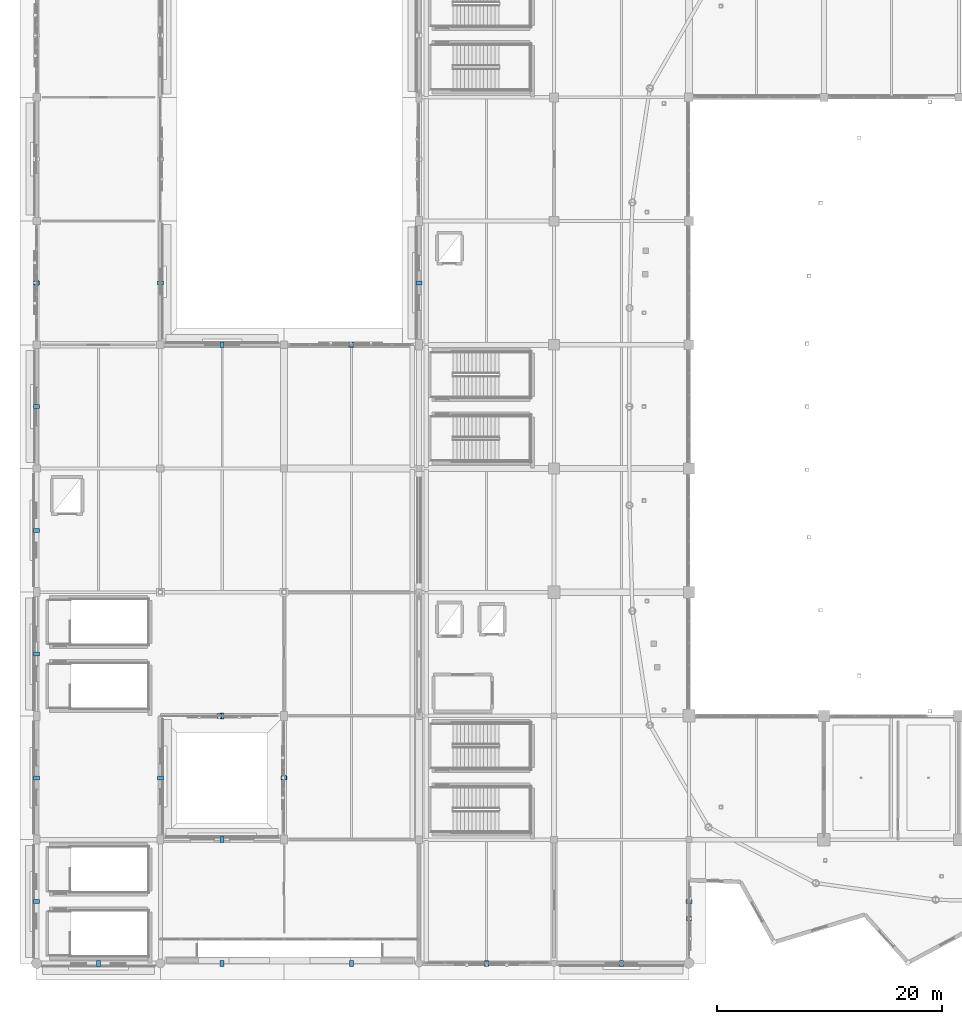
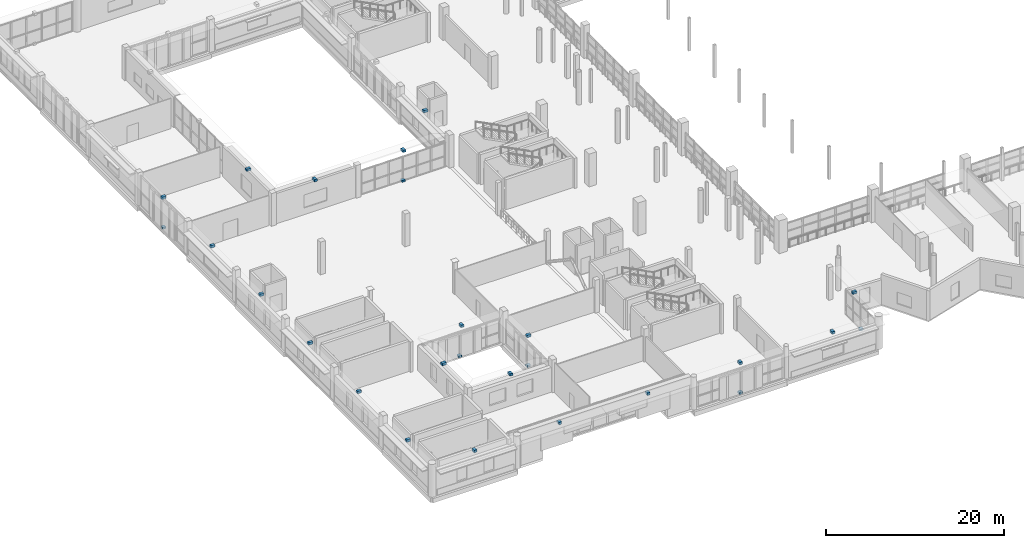
# One storey, part 91 of 118: 26 discrete accessories.
"""IFC4 building model written with IfcOpenShell, lengths in metres."""

from ifc_helpers import new_model, si_unit, direction, frame, origin, origin_2d, place, context, subcontext, project, spatial, rectangle, extrude, material, layer, layer_set, type_object, element, save


model = new_model("IFC4")

# Units and contexts
model_context = context("Model", 3, precision=1e-05, world=origin(), true_north=direction((0.0, 1.0)))
body_context = subcontext(model_context, "Body", "Model", "MODEL_VIEW")
ifc_project = project(units=[si_unit("LENGTHUNIT", "METRE"), si_unit("AREAUNIT", "SQUARE_METRE"), si_unit("VOLUMEUNIT", "CUBIC_METRE"), si_unit("PLANEANGLEUNIT", "RADIAN"), si_unit("MASSUNIT", "GRAM", prefix="KILO")], contexts=[model_context])

# Site, building, storey
site_placement = place(None, origin())
site = spatial("IfcSite", under=ifc_project, at=site_placement, CompositionType="ELEMENT")
building_placement = place(site_placement, origin())
building = spatial("IfcBuilding", under=site, at=building_placement, Name="Luwafu Chhajja Arena", CompositionType="ELEMENT")
storey_placement = place(building_placement, frame((0.0, 0.0, 10.199951171875)))
storey = spatial("IfcBuildingStorey", under=building, at=storey_placement, Name="L02", CompositionType="ELEMENT", Elevation=10.199951171875)

# Discrete accessories
ifc_material = material(Name="Stainless steel bracket", Category="steel")
ifc_layer = layer(ifc_material, 0.179931640625, Name="Stainless steel bracket")
ifc_layer_set = layer_set([ifc_layer], Name="Stainless steel bracket")
discrete_accessory_type = type_object("IfcDiscreteAccessoryType", Name="Stainless Steel Facade Support Bracket", PredefinedType="BRACKET", material=ifc_layer_set)
for number, where, z_axis, x_axis, name in (
    (1, (5.5, 0.0, 4.080078125), (0.0, 0.0, 1.0), (1.0, 0.0, 0.0), "L02 Chhajja Eave Support Bracket 0213"),
    (2, (0.0, 5.5, 4.080078125), (0.0, 0.0, 1.0), (0.0, 1.0, 0.0), "L02 Chhajja Eave Support Bracket 0214"),
    (3, (0.0, 16.5, 4.080078125), (0.0, 0.0, 1.0), (0.0, 1.0, 0.0), "L02 Chhajja Eave Support Bracket 0215"),
    (4, (11.0, 16.5, 4.080078125), (0.0, 0.0, 1.0), (0.0, 1.0, 0.0), "L02 Chhajja Eave Support Bracket 0216"),
    (5, (0.0, 27.5, 4.080078125), (0.0, 0.0, 1.0), (0.0, 1.0, 0.0), "L02 Chhajja Eave Support Bracket 0217"),
    (6, (0.0, 38.5, 4.080078125), (0.0, 0.0, 1.0), (0.0, 1.0, 0.0), "L02 Chhajja Eave Support Bracket 0218"),
    (7, (0.0, 49.5, 4.080078125), (0.0, 0.0, 1.0), (0.0, 1.0, 0.0), "L02 Chhajja Eave Support Bracket 0219"),
    (8, (0.0, 60.5, 4.080078125), (0.0, 0.0, 1.0), (0.0, 1.0, 0.0), "L02 Chhajja Eave Support Bracket 0220"),
):
    element("IfcDiscreteAccessory", number, at=place(storey_placement, frame(where, z_axis=z_axis, x_axis=x_axis)), inside=storey, type_object=discrete_accessory_type, Name=name, PredefinedType="BRACKET", context=body_context, shape_type="SweptSolid", body=[
        extrude(rectangle(XDim=0.360107421875, YDim=0.52001953125, at=origin_2d()), origin(), (0.0, 0.0, 1.0), 0.320068359375),
    ])
discrete_accessory_1_placement = place(storey_placement, frame((0.0, 60.5, -0.009765625), z_axis=(0.0, 0.0, 1.0), x_axis=(0.0, 1.0, 0.0)))
element("IfcDiscreteAccessory", 9, at=discrete_accessory_1_placement, inside=storey, type_object=discrete_accessory_type, Name="Jali Stainless Support Bracket 0221", PredefinedType="BRACKET", context=body_context, shape_type="SweptSolid", body=[
    extrude(rectangle(XDim=0.419921875, YDim=0.419921875, at=origin_2d()), origin(), (0.0, 0.0, 1.0), 0.260009765625),
])
for number, where, z_axis, x_axis, name in (
    (10, (11.0, 60.5, 4.080078125), (0.0, 0.0, 1.0), (0.0, 1.0, 0.0), "L02 Chhajja Eave Support Bracket 0222"),
    (11, (16.5, 0.0, 4.080078125), (0.0, 0.0, 1.0), (1.0, 0.0, 0.0), "L02 Chhajja Eave Support Bracket 0232"),
    (12, (16.5, 11.0, 4.080078125), (0.0, 0.0, 1.0), (1.0, 0.0, 0.0), "L02 Chhajja Eave Support Bracket 0233"),
    (13, (16.5, 22.0, 4.080078125), (0.0, 0.0, 1.0), (1.0, 0.0, 0.0), "L02 Chhajja Eave Support Bracket 0234"),
):
    element("IfcDiscreteAccessory", number, at=place(storey_placement, frame(where, z_axis=z_axis, x_axis=x_axis)), inside=storey, type_object=discrete_accessory_type, Name=name, PredefinedType="BRACKET", context=body_context, shape_type="SweptSolid", body=[
        extrude(rectangle(XDim=0.360107421875, YDim=0.52001953125, at=origin_2d()), origin(), (0.0, 0.0, 1.0), 0.320068359375),
    ])
discrete_accessory_2_placement = place(storey_placement, frame((16.22998046875, 22.0, -0.009765625), z_axis=(0.0, 0.0, 1.0), x_axis=(1.0, 0.0, 0.0)))
element("IfcDiscreteAccessory", 14, at=discrete_accessory_2_placement, inside=storey, type_object=discrete_accessory_type, Name="Jali Stainless Support Bracket 0235", PredefinedType="BRACKET", context=body_context, shape_type="SweptSolid", body=[
    extrude(rectangle(XDim=0.419921875, YDim=0.419921875, at=origin_2d()), origin(), (0.0, 0.0, 1.0), 0.260009765625),
])
for number, where, z_axis, x_axis, name in (
    (15, (16.5, 55.0, 4.080078125), (0.0, 0.0, 1.0), (1.0, 0.0, 0.0), "L02 Chhajja Eave Support Bracket 0236"),
    (16, (28.0, 0.0, 4.080078125), (0.0, 0.0, 1.0), (1.0, 0.0, 0.0), "L02 Chhajja Eave Support Bracket 0240"),
    (17, (22.0, 16.5, 4.080078125), (0.0, 0.0, 1.0), (0.0, 1.0, 0.0), "L02 Chhajja Eave Support Bracket 0241"),
):
    element("IfcDiscreteAccessory", number, at=place(storey_placement, frame(where, z_axis=z_axis, x_axis=x_axis)), inside=storey, type_object=discrete_accessory_type, Name=name, PredefinedType="BRACKET", context=body_context, shape_type="SweptSolid", body=[
        extrude(rectangle(XDim=0.360107421875, YDim=0.52001953125, at=origin_2d()), origin(), (0.0, 0.0, 1.0), 0.320068359375),
    ])
discrete_accessory_3_placement = place(storey_placement, frame((22.0, 16.5, -0.009765625), z_axis=(0.0, 0.0, 1.0), x_axis=(0.0, 1.0, 0.0)))
element("IfcDiscreteAccessory", 18, at=discrete_accessory_3_placement, inside=storey, type_object=discrete_accessory_type, Name="Jali Stainless Support Bracket 0242", PredefinedType="BRACKET", context=body_context, shape_type="SweptSolid", body=[
    extrude(rectangle(XDim=0.419921875, YDim=0.419921875, at=origin_2d()), origin(), (0.0, 0.0, 1.0), 0.260009765625),
])
discrete_accessory_4_placement = place(storey_placement, frame((28.0, 55.0, 4.080078125), z_axis=(0.0, 0.0, 1.0), x_axis=(1.0, 0.0, 0.0)))
element("IfcDiscreteAccessory", 19, at=discrete_accessory_4_placement, inside=storey, type_object=discrete_accessory_type, Name="L02 Chhajja Eave Support Bracket 0243", PredefinedType="BRACKET", context=body_context, shape_type="SweptSolid", body=[
    extrude(rectangle(XDim=0.360107421875, YDim=0.52001953125, at=origin_2d()), origin(), (0.0, 0.0, 1.0), 0.320068359375),
])
discrete_accessory_5_placement = place(storey_placement, frame((27.9375, 55.0, -0.009765625), z_axis=(0.0, 0.0, 1.0), x_axis=(1.0, 0.0, 0.0)))
element("IfcDiscreteAccessory", 20, at=discrete_accessory_5_placement, inside=storey, type_object=discrete_accessory_type, Name="Jali Stainless Support Bracket 0244", PredefinedType="BRACKET", context=body_context, shape_type="SweptSolid", body=[
    extrude(rectangle(XDim=0.419921875, YDim=0.419921875, at=origin_2d()), origin(), (0.0, 0.0, 1.0), 0.260009765625),
])
discrete_accessory_6_placement = place(storey_placement, frame((40.0, 0.0, 4.080078125), z_axis=(0.0, 0.0, 1.0), x_axis=(1.0, 0.0, 0.0)))
element("IfcDiscreteAccessory", 21, at=discrete_accessory_6_placement, inside=storey, type_object=discrete_accessory_type, Name="L02 Chhajja Eave Support Bracket 0246", PredefinedType="BRACKET", context=body_context, shape_type="SweptSolid", body=[
    extrude(rectangle(XDim=0.360107421875, YDim=0.52001953125, at=origin_2d()), origin(), (0.0, 0.0, 1.0), 0.320068359375),
])
discrete_accessory_7_placement = place(storey_placement, frame((40.02490234375, 0.0, -0.009765625), z_axis=(0.0, 0.0, 1.0), x_axis=(1.0, 0.0, 0.0)))
element("IfcDiscreteAccessory", 22, at=discrete_accessory_7_placement, inside=storey, type_object=discrete_accessory_type, Name="Jali Stainless Support Bracket 0247", PredefinedType="BRACKET", context=body_context, shape_type="SweptSolid", body=[
    extrude(rectangle(XDim=0.419921875, YDim=0.419921875, at=origin_2d()), origin(), (0.0, 0.0, 1.0), 0.260009765625),
])
for number, where, z_axis, x_axis, name in (
    (23, (34.0, 60.5, 4.080078125), (0.0, 0.0, 1.0), (0.0, 1.0, 0.0), "L02 Chhajja Eave Support Bracket 0248"),
    (24, (52.0, 0.0, 4.080078125), (0.0, 0.0, 1.0), (1.0, 0.0, 0.0), "L02 Chhajja Eave Support Bracket 0252"),
    (25, (58.0, 5.5, 4.080078125), (0.0, 0.0, 1.0), (0.0, 1.0, 0.0), "L02 Chhajja Eave Support Bracket 0253"),
):
    element("IfcDiscreteAccessory", number, at=place(storey_placement, frame(where, z_axis=z_axis, x_axis=x_axis)), inside=storey, type_object=discrete_accessory_type, Name=name, PredefinedType="BRACKET", context=body_context, shape_type="SweptSolid", body=[
        extrude(rectangle(XDim=0.360107421875, YDim=0.52001953125, at=origin_2d()), origin(), (0.0, 0.0, 1.0), 0.320068359375),
    ])
discrete_accessory_8_placement = place(storey_placement, frame((58.0, 3.968994140625, -0.009765625), z_axis=(0.0, 0.0, 1.0), x_axis=(0.0, 1.0, 0.0)))
element("IfcDiscreteAccessory", 26, at=discrete_accessory_8_placement, inside=storey, type_object=discrete_accessory_type, Name="Jali Stainless Support Bracket 0254", PredefinedType="BRACKET", context=body_context, shape_type="SweptSolid", body=[
    extrude(rectangle(XDim=0.419921875, YDim=0.419921875, at=origin_2d()), origin(), (0.0, 0.0, 1.0), 0.260009765625),
])

save(model, "model.ifc")
